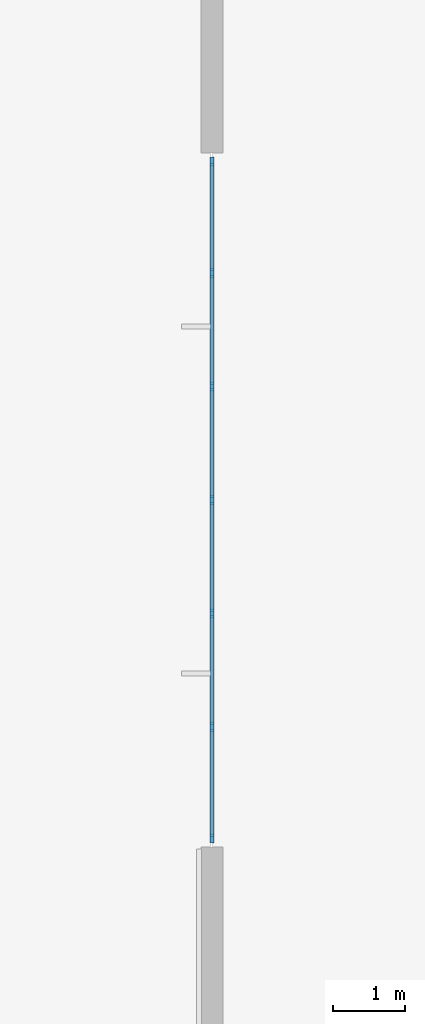
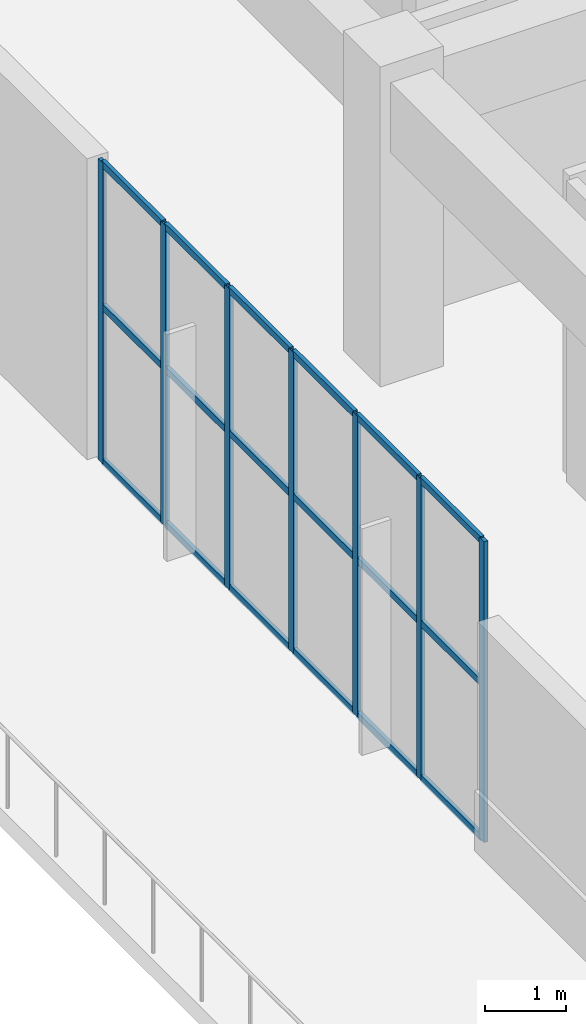
# One storey, part 31 of 96: 25 members, 1 element without a shape of its own.
"""IFC4 building model written with IfcOpenShell, lengths in metres."""

from ifc_helpers import new_model, si_unit, direction, frame, origin, origin_2d, place, context, subcontext, project, spatial, rectangle, extrude, material, layer, layer_set, material_profile, profile_set, type_object, element, aggregate, save


model = new_model("IFC4")

# Units and contexts
model_context = context("Model", 3, precision=1e-05, world=origin(), true_north=direction((0.0, 1.0)))
body_context = subcontext(model_context, "Body", "Model", "MODEL_VIEW")
ifc_project = project(units=[si_unit("LENGTHUNIT", "METRE"), si_unit("AREAUNIT", "SQUARE_METRE"), si_unit("VOLUMEUNIT", "CUBIC_METRE"), si_unit("PLANEANGLEUNIT", "RADIAN"), si_unit("MASSUNIT", "GRAM", prefix="KILO")], contexts=[model_context])

# Site, building, storey
site_placement = place(None, origin())
site = spatial("IfcSite", under=ifc_project, at=site_placement, CompositionType="ELEMENT")
building_placement = place(site_placement, origin())
building = spatial("IfcBuilding", under=site, at=building_placement, Name="Cendralis Terraced Arcade", CompositionType="ELEMENT")
storey_placement = place(building_placement, frame((0.0, 0.0, 10.199951171875)))
storey = spatial("IfcBuildingStorey", under=building, at=storey_placement, Name="L02", CompositionType="ELEMENT", Elevation=10.199951171875)

# Curtain wall, members
ifc_material = material(Name="Anodised aluminium EN AW-6063 T6", Category="aluminium")
ifc_layer = layer(ifc_material, 0.1201171875, Name="CW-STORE-B")
ifc_layer_set = layer_set([ifc_layer], Name="Anodised aluminium EN AW-6063 T6")
curtain_wall_type = type_object("IfcCurtainWallType", Name="CW-STORE-B", PredefinedType="USERDEFINED", material=ifc_layer_set)
curtain_wall_placement = place(storey_placement, origin())
curtain_wall = element("IfcCurtainWall", 1, at=curtain_wall_placement, inside=storey, type_object=curtain_wall_type, Name="Exterior Storefront Glazing CW-L02-0113", ObjectType="STOREFRONT GLAZING", PredefinedType="USERDEFINED")
ifc_material_profile_1 = material_profile(ifc_material, rectangle(XDim=0.054931640625, YDim=0.1201171875, at=origin_2d()), Name="ALU-MUL-55x120")
ifc_profile_set_1 = profile_set([ifc_material_profile_1], Name="Anodised aluminium EN AW-6063 T6")
member_type_1 = type_object("IfcMemberType", Name="CW-STORE-B-MUL", PredefinedType="MULLION", material=ifc_profile_set_1)
member_1_placement = place(storey_placement, frame((126.0, 69.717529296875, 0.0), z_axis=(0.0, 0.0, 1.0), x_axis=(-1.0, 0.0, 0.0)))
member_1 = element("IfcMember", 2, at=member_1_placement, type_object=member_type_1, Name="CW-S2 mullion 1", PredefinedType="MULLION", context=body_context, shape_type="SweptSolid", body=[
    extrude(rectangle(XDim=0.054931640625, YDim=0.1201171875, at=origin_2d()), origin(), (0.0, 0.0, 1.0), 4.51513671875),
])
member_2_placement = place(storey_placement, frame((126.0, 71.260009765625, 0.0), z_axis=(0.0, 0.0, 1.0), x_axis=(-1.0, 0.0, 0.0)))
member_2 = element("IfcMember", 3, at=member_2_placement, type_object=member_type_1, Name="CW-S2 mullion 2", PredefinedType="MULLION", context=body_context, shape_type="SweptSolid", body=[
    extrude(rectangle(XDim=0.054931640625, YDim=0.1201171875, at=origin_2d()), origin(), (0.0, 0.0, 1.0), 4.51513671875),
])
member_3_placement = place(storey_placement, frame((126.0, 72.830078125, 0.0), z_axis=(0.0, 0.0, 1.0), x_axis=(-1.0, 0.0, 0.0)))
member_3 = element("IfcMember", 4, at=member_3_placement, type_object=member_type_1, Name="CW-S2 mullion 3", PredefinedType="MULLION", context=body_context, shape_type="SweptSolid", body=[
    extrude(rectangle(XDim=0.054931640625, YDim=0.1201171875, at=origin_2d()), origin(), (0.0, 0.0, 1.0), 4.51513671875),
])
member_4_placement = place(storey_placement, frame((126.0, 74.39990234375, 0.0), z_axis=(0.0, 0.0, 1.0), x_axis=(-1.0, 0.0, 0.0)))
member_4 = element("IfcMember", 5, at=member_4_placement, type_object=member_type_1, Name="CW-S2 mullion 4", PredefinedType="MULLION", context=body_context, shape_type="SweptSolid", body=[
    extrude(rectangle(XDim=0.054931640625, YDim=0.1201171875, at=origin_2d()), origin(), (0.0, 0.0, 1.0), 4.51513671875),
])
member_5_placement = place(storey_placement, frame((126.0, 75.969970703125, 0.0), z_axis=(0.0, 0.0, 1.0), x_axis=(-1.0, 0.0, 0.0)))
member_5 = element("IfcMember", 6, at=member_5_placement, type_object=member_type_1, Name="CW-S2 mullion 5", PredefinedType="MULLION", context=body_context, shape_type="SweptSolid", body=[
    extrude(rectangle(XDim=0.054931640625, YDim=0.1201171875, at=origin_2d()), origin(), (0.0, 0.0, 1.0), 4.51513671875),
])
member_6_placement = place(storey_placement, frame((126.0, 77.5400390625, 0.0), z_axis=(0.0, 0.0, 1.0), x_axis=(-1.0, 0.0, 0.0)))
member_6 = element("IfcMember", 7, at=member_6_placement, type_object=member_type_1, Name="CW-S2 mullion 6", PredefinedType="MULLION", context=body_context, shape_type="SweptSolid", body=[
    extrude(rectangle(XDim=0.054931640625, YDim=0.1201171875, at=origin_2d()), origin(), (0.0, 0.0, 1.0), 4.51513671875),
])
member_7_placement = place(storey_placement, frame((126.0, 79.08251953125, 0.0), z_axis=(0.0, 0.0, 1.0), x_axis=(-1.0, 0.0, 0.0)))
member_7 = element("IfcMember", 8, at=member_7_placement, type_object=member_type_1, Name="CW-S2 mullion 7", PredefinedType="MULLION", context=body_context, shape_type="SweptSolid", body=[
    extrude(rectangle(XDim=0.054931640625, YDim=0.1201171875, at=origin_2d()), origin(), (0.0, 0.0, 1.0), 4.51513671875),
])
ifc_material_profile_2 = material_profile(ifc_material, rectangle(XDim=0.054931640625, YDim=0.10009765625, at=origin_2d()), Name="ALU-TRN-55x100")
ifc_profile_set_2 = profile_set([ifc_material_profile_2], Name="Anodised aluminium EN AW-6063 T6")
member_type_2 = type_object("IfcMemberType", Name="CW-STORE-B-TRN", PredefinedType="USERDEFINED", material=ifc_profile_set_2)
member_8_placement = place(storey_placement, frame((126.0, 69.7451171875, 0.027587890625), z_axis=(0.0, 1.0, 0.0), x_axis=(-1.0, 0.0, 0.0)))
member_8 = element("IfcMember", 9, at=member_8_placement, type_object=member_type_2, Name="CW-S2 transom 1.1", ObjectType="TRANSOM", PredefinedType="USERDEFINED", context=body_context, shape_type="SweptSolid", body=[
    extrude(rectangle(XDim=0.054931640625, YDim=0.10009765625, at=origin_2d()), origin(), (0.0, 0.0, 1.0), 1.4873046875),
])
member_9_placement = place(storey_placement, frame((126.0, 69.7451171875, 2.347900390625), z_axis=(0.0, 1.0, 0.0), x_axis=(-1.0, 0.0, 0.0)))
member_9 = element("IfcMember", 10, at=member_9_placement, type_object=member_type_2, Name="CW-S2 transom 1.2", ObjectType="TRANSOM", PredefinedType="USERDEFINED", context=body_context, shape_type="SweptSolid", body=[
    extrude(rectangle(XDim=0.054931640625, YDim=0.10009765625, at=origin_2d()), origin(), (0.0, 0.0, 1.0), 1.4873046875),
])
member_10_placement = place(storey_placement, frame((126.0, 69.7451171875, 4.487548828125), z_axis=(0.0, 1.0, 0.0), x_axis=(-1.0, 0.0, 0.0)))
member_10 = element("IfcMember", 11, at=member_10_placement, type_object=member_type_2, Name="CW-S2 transom 1.3", ObjectType="TRANSOM", PredefinedType="USERDEFINED", context=body_context, shape_type="SweptSolid", body=[
    extrude(rectangle(XDim=0.054931640625, YDim=0.10009765625, at=origin_2d()), origin(), (0.0, 0.0, 1.0), 1.4873046875),
])
member_11_placement = place(storey_placement, frame((126.0, 71.28759765625, 0.027587890625), z_axis=(0.0, 1.0, 0.0), x_axis=(-1.0, 0.0, 0.0)))
member_11 = element("IfcMember", 12, at=member_11_placement, type_object=member_type_2, Name="CW-S2 transom 2.1", ObjectType="TRANSOM", PredefinedType="USERDEFINED", context=body_context, shape_type="SweptSolid", body=[
    extrude(rectangle(XDim=0.054931640625, YDim=0.10009765625, at=origin_2d()), origin(), (0.0, 0.0, 1.0), 1.514892578125),
])
member_12_placement = place(storey_placement, frame((126.0, 71.28759765625, 2.347900390625), z_axis=(0.0, 1.0, 0.0), x_axis=(-1.0, 0.0, 0.0)))
member_12 = element("IfcMember", 13, at=member_12_placement, type_object=member_type_2, Name="CW-S2 transom 2.2", ObjectType="TRANSOM", PredefinedType="USERDEFINED", context=body_context, shape_type="SweptSolid", body=[
    extrude(rectangle(XDim=0.054931640625, YDim=0.10009765625, at=origin_2d()), origin(), (0.0, 0.0, 1.0), 1.514892578125),
])
member_13_placement = place(storey_placement, frame((126.0, 71.28759765625, 4.487548828125), z_axis=(0.0, 1.0, 0.0), x_axis=(-1.0, 0.0, 0.0)))
member_13 = element("IfcMember", 14, at=member_13_placement, type_object=member_type_2, Name="CW-S2 transom 2.3", ObjectType="TRANSOM", PredefinedType="USERDEFINED", context=body_context, shape_type="SweptSolid", body=[
    extrude(rectangle(XDim=0.054931640625, YDim=0.10009765625, at=origin_2d()), origin(), (0.0, 0.0, 1.0), 1.514892578125),
])
member_14_placement = place(storey_placement, frame((126.0, 72.857421875, 0.027587890625), z_axis=(0.0, 1.0, 0.0), x_axis=(-1.0, 0.0, 0.0)))
member_14 = element("IfcMember", 15, at=member_14_placement, type_object=member_type_2, Name="CW-S2 transom 3.1", ObjectType="TRANSOM", PredefinedType="USERDEFINED", context=body_context, shape_type="SweptSolid", body=[
    extrude(rectangle(XDim=0.054931640625, YDim=0.10009765625, at=origin_2d()), origin(), (0.0, 0.0, 1.0), 1.51513671875),
])
member_15_placement = place(storey_placement, frame((126.0, 72.857421875, 2.347900390625), z_axis=(0.0, 1.0, 0.0), x_axis=(-1.0, 0.0, 0.0)))
member_15 = element("IfcMember", 16, at=member_15_placement, type_object=member_type_2, Name="CW-S2 transom 3.2", ObjectType="TRANSOM", PredefinedType="USERDEFINED", context=body_context, shape_type="SweptSolid", body=[
    extrude(rectangle(XDim=0.054931640625, YDim=0.10009765625, at=origin_2d()), origin(), (0.0, 0.0, 1.0), 1.51513671875),
])
member_16_placement = place(storey_placement, frame((126.0, 72.857421875, 4.487548828125), z_axis=(0.0, 1.0, 0.0), x_axis=(-1.0, 0.0, 0.0)))
member_16 = element("IfcMember", 17, at=member_16_placement, type_object=member_type_2, Name="CW-S2 transom 3.3", ObjectType="TRANSOM", PredefinedType="USERDEFINED", context=body_context, shape_type="SweptSolid", body=[
    extrude(rectangle(XDim=0.054931640625, YDim=0.10009765625, at=origin_2d()), origin(), (0.0, 0.0, 1.0), 1.51513671875),
])
member_17_placement = place(storey_placement, frame((126.0, 74.427490234375, 0.027587890625), z_axis=(0.0, 1.0, 0.0), x_axis=(-1.0, 0.0, 0.0)))
member_17 = element("IfcMember", 18, at=member_17_placement, type_object=member_type_2, Name="CW-S2 transom 4.1", ObjectType="TRANSOM", PredefinedType="USERDEFINED", context=body_context, shape_type="SweptSolid", body=[
    extrude(rectangle(XDim=0.054931640625, YDim=0.10009765625, at=origin_2d()), origin(), (0.0, 0.0, 1.0), 1.514892578125),
])
member_18_placement = place(storey_placement, frame((126.0, 74.427490234375, 2.347900390625), z_axis=(0.0, 1.0, 0.0), x_axis=(-1.0, 0.0, 0.0)))
member_18 = element("IfcMember", 19, at=member_18_placement, type_object=member_type_2, Name="CW-S2 transom 4.2", ObjectType="TRANSOM", PredefinedType="USERDEFINED", context=body_context, shape_type="SweptSolid", body=[
    extrude(rectangle(XDim=0.054931640625, YDim=0.10009765625, at=origin_2d()), origin(), (0.0, 0.0, 1.0), 1.514892578125),
])
member_19_placement = place(storey_placement, frame((126.0, 74.427490234375, 4.487548828125), z_axis=(0.0, 1.0, 0.0), x_axis=(-1.0, 0.0, 0.0)))
member_19 = element("IfcMember", 20, at=member_19_placement, type_object=member_type_2, Name="CW-S2 transom 4.3", ObjectType="TRANSOM", PredefinedType="USERDEFINED", context=body_context, shape_type="SweptSolid", body=[
    extrude(rectangle(XDim=0.054931640625, YDim=0.10009765625, at=origin_2d()), origin(), (0.0, 0.0, 1.0), 1.514892578125),
])
member_20_placement = place(storey_placement, frame((126.0, 75.99755859375, 0.027587890625), z_axis=(0.0, 1.0, 0.0), x_axis=(-1.0, 0.0, 0.0)))
member_20 = element("IfcMember", 21, at=member_20_placement, type_object=member_type_2, Name="CW-S2 transom 5.1", ObjectType="TRANSOM", PredefinedType="USERDEFINED", context=body_context, shape_type="SweptSolid", body=[
    extrude(rectangle(XDim=0.054931640625, YDim=0.10009765625, at=origin_2d()), origin(), (0.0, 0.0, 1.0), 1.514892578125),
])
member_21_placement = place(storey_placement, frame((126.0, 75.99755859375, 2.347900390625), z_axis=(0.0, 1.0, 0.0), x_axis=(-1.0, 0.0, 0.0)))
member_21 = element("IfcMember", 22, at=member_21_placement, type_object=member_type_2, Name="CW-S2 transom 5.2", ObjectType="TRANSOM", PredefinedType="USERDEFINED", context=body_context, shape_type="SweptSolid", body=[
    extrude(rectangle(XDim=0.054931640625, YDim=0.10009765625, at=origin_2d()), origin(), (0.0, 0.0, 1.0), 1.514892578125),
])
member_22_placement = place(storey_placement, frame((126.0, 75.99755859375, 4.487548828125), z_axis=(0.0, 1.0, 0.0), x_axis=(-1.0, 0.0, 0.0)))
member_22 = element("IfcMember", 23, at=member_22_placement, type_object=member_type_2, Name="CW-S2 transom 5.3", ObjectType="TRANSOM", PredefinedType="USERDEFINED", context=body_context, shape_type="SweptSolid", body=[
    extrude(rectangle(XDim=0.054931640625, YDim=0.10009765625, at=origin_2d()), origin(), (0.0, 0.0, 1.0), 1.514892578125),
])
member_23_placement = place(storey_placement, frame((126.0, 77.5673828125, 0.027587890625), z_axis=(0.0, 1.0, 0.0), x_axis=(-1.0, 0.0, 0.0)))
member_23 = element("IfcMember", 24, at=member_23_placement, type_object=member_type_2, Name="CW-S2 transom 6.1", ObjectType="TRANSOM", PredefinedType="USERDEFINED", context=body_context, shape_type="SweptSolid", body=[
    extrude(rectangle(XDim=0.054931640625, YDim=0.10009765625, at=origin_2d()), origin(), (0.0, 0.0, 1.0), 1.487548828125),
])
member_24_placement = place(storey_placement, frame((126.0, 77.5673828125, 2.347900390625), z_axis=(0.0, 1.0, 0.0), x_axis=(-1.0, 0.0, 0.0)))
member_24 = element("IfcMember", 25, at=member_24_placement, type_object=member_type_2, Name="CW-S2 transom 6.2", ObjectType="TRANSOM", PredefinedType="USERDEFINED", context=body_context, shape_type="SweptSolid", body=[
    extrude(rectangle(XDim=0.054931640625, YDim=0.10009765625, at=origin_2d()), origin(), (0.0, 0.0, 1.0), 1.487548828125),
])
member_25_placement = place(storey_placement, frame((126.0, 77.5673828125, 4.487548828125), z_axis=(0.0, 1.0, 0.0), x_axis=(-1.0, 0.0, 0.0)))
member_25 = element("IfcMember", 26, at=member_25_placement, type_object=member_type_2, Name="CW-S2 transom 6.3", ObjectType="TRANSOM", PredefinedType="USERDEFINED", context=body_context, shape_type="SweptSolid", body=[
    extrude(rectangle(XDim=0.054931640625, YDim=0.10009765625, at=origin_2d()), origin(), (0.0, 0.0, 1.0), 1.487548828125),
])
aggregate(curtain_wall, [member_1, member_2, member_3, member_4, member_5, member_6, member_7, member_8, member_9, member_10, member_11, member_12, member_13, member_14, member_15, member_16, member_17, member_18, member_19, member_20, member_21, member_22, member_23, member_24, member_25])

save(model, "model.ifc")
